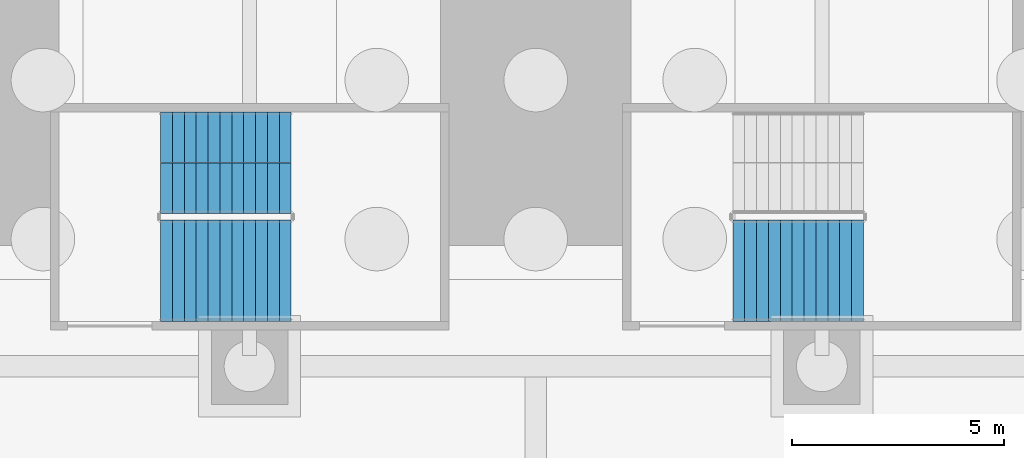
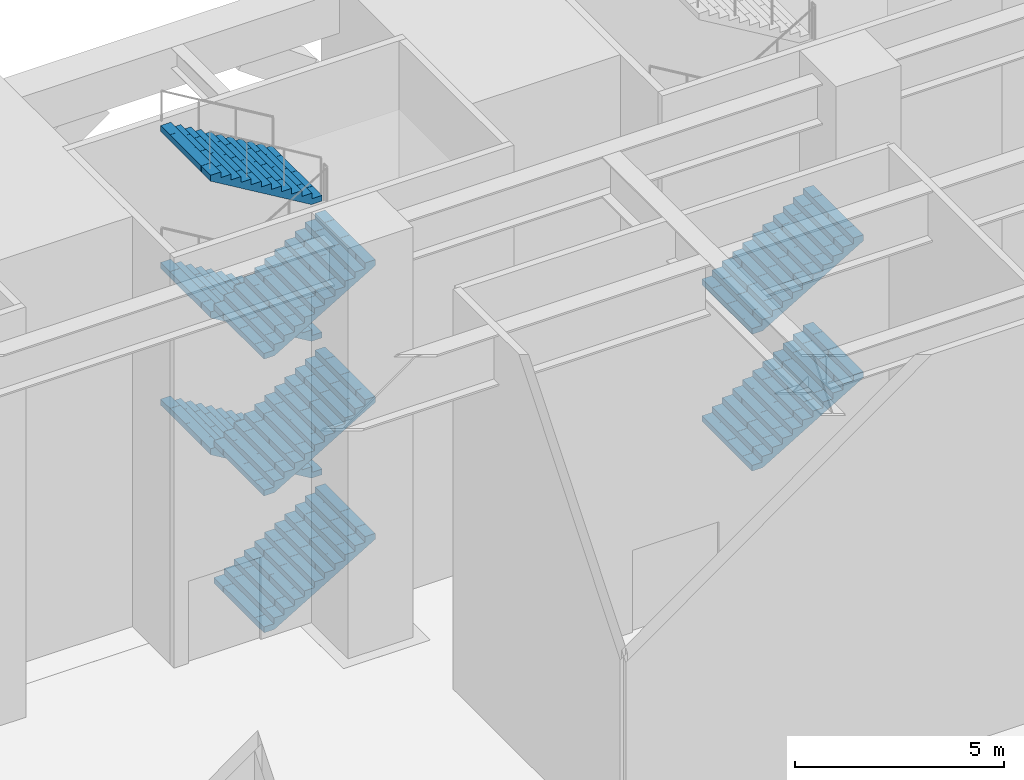
# One storey, part 22 of 34: 8 stair flights, 2 elements without a shape of their own.
"""IFC4 building model written with IfcOpenShell, lengths in metres."""

from ifc_helpers import new_model, si_unit, direction, frame, origin, place, context, subcontext, project, spatial, polyline, outline, extrude, material, type_object, element, aggregate, save


model = new_model("IFC4")

# Units and contexts
model_context = context("Model", 3, precision=1e-05, world=origin(), true_north=direction((0.0, 1.0)))
body_context = subcontext(model_context, "Body", "Model", "MODEL_VIEW")
ifc_project = project(units=[si_unit("LENGTHUNIT", "METRE"), si_unit("AREAUNIT", "SQUARE_METRE"), si_unit("VOLUMEUNIT", "CUBIC_METRE"), si_unit("PLANEANGLEUNIT", "RADIAN"), si_unit("MASSUNIT", "GRAM", prefix="KILO")], contexts=[model_context])

# Site, building, storey
site_placement = place(None, origin())
site = spatial("IfcSite", under=ifc_project, at=site_placement, CompositionType="ELEMENT")
building_placement = place(site_placement, origin())
building = spatial("IfcBuilding", under=site, at=building_placement, Name="Corbelhall Arena Tower", CompositionType="ELEMENT")
storey_placement = place(building_placement, origin())
storey = spatial("IfcBuildingStorey", under=building, at=storey_placement, Name="L00", CompositionType="ELEMENT", Elevation=0.0)

# Stair, stair flights
ifc_material = material(Name="Reinforced concrete C40/50", Category="concrete")
stair_type = type_object("IfcStairType", Name="AR-EXIT-STAIR", PredefinedType="HALF_TURN_STAIR", material=ifc_material)
stair_1_placement = place(storey_placement, origin())
stair_1 = element("IfcStair", 1, at=stair_1_placement, inside=storey, type_object=stair_type, Name="L00 exit stair AS10", PredefinedType="HALF_TURN_STAIR")
stair_flight_type = type_object("IfcStairFlightType", Name="AR-EXIT-FLIGHT", PredefinedType="STRAIGHT", material=ifc_material)
stair_flight_1_placement = place(storey_placement, frame((-8.85009765625, 31.5, 0.0), z_axis=(0.0, 0.0, 1.0), x_axis=(1.0, 0.0, 0.0)))
stair_flight_1 = element("IfcStairFlight", 2, at=stair_flight_1_placement, type_object=stair_flight_type, Name="AS10 flight 1", NumberOfRisers=12, NumberOfTreads=11, PredefinedType="STRAIGHT", RiserHeight=0.166666667, TreadLength=0.28, context=body_context, shape_type="SweptSolid", body=[
    extrude(outline(polyline([(0.0, 0.0), (0.0, 0.166748046875), (0.280029296875, 0.166748046875), (0.280029296875, 0.333251953125), (0.56005859375, 0.333251953125), (0.56005859375, 0.5), (0.840087890625, 0.5), (0.840087890625, 0.666748046875), (1.1201171875, 0.666748046875), (1.1201171875, 0.833251953125), (1.39990234375, 0.833251953125), (1.39990234375, 1.0), (1.679931640625, 1.0), (1.679931640625, 1.166748046875), (1.9599609375, 1.166748046875), (1.9599609375, 1.333251953125), (2.239990234375, 1.333251953125), (2.239990234375, 1.5), (2.52001953125, 1.5), (2.52001953125, 1.666748046875), (2.800048828125, 1.666748046875), (2.800048828125, 1.833251953125), (3.080078125, 1.833251953125), (3.080078125, 2.0), (3.080078125, 1.658935546875), (0.29296875, 0.0), (0.0, 0.0)])), frame((0.0, 1.199951171875, 0.0), z_axis=(0.0, -1.0, 0.0), x_axis=(1.0, 0.0, 0.0)), (0.0, 0.0, 1.0), 0.449951171875),
    extrude(outline(polyline([(0.0, 0.0), (0.0, 0.166748046875), (0.280029296875, 0.166748046875), (0.280029296875, 0.333251953125), (0.56005859375, 0.333251953125), (0.56005859375, 0.5), (0.840087890625, 0.5), (0.840087890625, 0.666748046875), (1.1201171875, 0.666748046875), (1.1201171875, 0.833251953125), (1.39990234375, 0.833251953125), (1.39990234375, 1.0), (1.679931640625, 1.0), (1.679931640625, 1.166748046875), (1.9599609375, 1.166748046875), (1.9599609375, 1.333251953125), (2.239990234375, 1.333251953125), (2.239990234375, 1.5), (2.52001953125, 1.5), (2.52001953125, 1.666748046875), (2.800048828125, 1.666748046875), (2.800048828125, 1.833251953125), (3.080078125, 1.833251953125), (3.080078125, 2.0), (3.080078125, 1.658935546875), (0.29296875, 0.0), (0.0, 0.0)])), frame((0.0, 0.745849609375, 0.0), z_axis=(0.0, -1.0, 0.0), x_axis=(1.0, 0.0, 0.0)), (0.0, 0.0, 1.0), 0.743896484375),
    extrude(outline(polyline([(0.0, 0.0), (0.0, 0.166748046875), (0.280029296875, 0.166748046875), (0.280029296875, 0.333251953125), (0.56005859375, 0.333251953125), (0.56005859375, 0.5), (0.840087890625, 0.5), (0.840087890625, 0.666748046875), (1.1201171875, 0.666748046875), (1.1201171875, 0.833251953125), (1.39990234375, 0.833251953125), (1.39990234375, 1.0), (1.679931640625, 1.0), (1.679931640625, 1.166748046875), (1.9599609375, 1.166748046875), (1.9599609375, 1.333251953125), (2.239990234375, 1.333251953125), (2.239990234375, 1.5), (2.52001953125, 1.5), (2.52001953125, 1.666748046875), (2.800048828125, 1.666748046875), (2.800048828125, 1.833251953125), (3.080078125, 1.833251953125), (3.080078125, 2.0), (3.080078125, 1.658935546875), (0.29296875, 0.0), (0.0, 0.0)])), frame((0.0, -0.001953125, 0.0), z_axis=(0.0, -1.0, 0.0), x_axis=(1.0, 0.0, 0.0)), (0.0, 0.0, 1.0), 0.743896484375),
    extrude(outline(polyline([(0.0, 0.0), (0.0, 0.166748046875), (0.280029296875, 0.166748046875), (0.280029296875, 0.333251953125), (0.56005859375, 0.333251953125), (0.56005859375, 0.5), (0.840087890625, 0.5), (0.840087890625, 0.666748046875), (1.1201171875, 0.666748046875), (1.1201171875, 0.833251953125), (1.39990234375, 0.833251953125), (1.39990234375, 1.0), (1.679931640625, 1.0), (1.679931640625, 1.166748046875), (1.9599609375, 1.166748046875), (1.9599609375, 1.333251953125), (2.239990234375, 1.333251953125), (2.239990234375, 1.5), (2.52001953125, 1.5), (2.52001953125, 1.666748046875), (2.800048828125, 1.666748046875), (2.800048828125, 1.833251953125), (3.080078125, 1.833251953125), (3.080078125, 2.0), (3.080078125, 1.658935546875), (0.29296875, 0.0), (0.0, 0.0)])), frame((0.0, -0.75, 0.0), z_axis=(0.0, -1.0, 0.0), x_axis=(1.0, 0.0, 0.0)), (0.0, 0.0, 1.0), 0.449951171875),
])
stair_flight_2_placement = place(storey_placement, frame((-5.77001953125, 34.050048828125, 2.0), z_axis=(0.0, 0.0, 1.0), x_axis=(-1.0, 0.0, 0.0)))
stair_flight_2 = element("IfcStairFlight", 3, at=stair_flight_2_placement, type_object=stair_flight_type, Name="AS10 flight 2", NumberOfRisers=12, NumberOfTreads=11, PredefinedType="STRAIGHT", RiserHeight=0.166666667, TreadLength=0.28, context=body_context, shape_type="SweptSolid", body=[
    extrude(outline(polyline([(0.0, 0.0), (0.0, 0.166748046875), (0.280029296875, 0.166748046875), (0.280029296875, 0.333251953125), (0.56005859375, 0.333251953125), (0.56005859375, 0.5), (0.840087890625, 0.5), (0.840087890625, 0.666748046875), (1.1201171875, 0.666748046875), (1.1201171875, 0.833251953125), (1.39990234375, 0.833251953125), (1.39990234375, 1.0), (1.679931640625, 1.0), (1.679931640625, 1.166748046875), (1.9599609375, 1.166748046875), (1.9599609375, 1.333251953125), (2.239990234375, 1.333251953125), (2.239990234375, 1.5), (2.52001953125, 1.5), (2.52001953125, 1.666748046875), (2.800048828125, 1.666748046875), (2.800048828125, 1.833251953125), (3.080078125, 1.833251953125), (3.080078125, 2.0), (3.080078125, 1.658935546875), (0.29296875, 0.0), (0.0, 0.0)])), frame((0.0, 1.199951171875, 0.0), z_axis=(0.0, -1.0, 0.0), x_axis=(1.0, 0.0, 0.0)), (0.0, 0.0, 1.0), 0.449951171875),
    extrude(outline(polyline([(0.0, 0.0), (0.0, 0.166748046875), (0.280029296875, 0.166748046875), (0.280029296875, 0.333251953125), (0.56005859375, 0.333251953125), (0.56005859375, 0.5), (0.840087890625, 0.5), (0.840087890625, 0.666748046875), (1.1201171875, 0.666748046875), (1.1201171875, 0.833251953125), (1.39990234375, 0.833251953125), (1.39990234375, 1.0), (1.679931640625, 1.0), (1.679931640625, 1.166748046875), (1.9599609375, 1.166748046875), (1.9599609375, 1.333251953125), (2.239990234375, 1.333251953125), (2.239990234375, 1.5), (2.52001953125, 1.5), (2.52001953125, 1.666748046875), (2.800048828125, 1.666748046875), (2.800048828125, 1.833251953125), (3.080078125, 1.833251953125), (3.080078125, 2.0), (3.080078125, 1.658935546875), (0.29296875, 0.0), (0.0, 0.0)])), frame((0.0, 0.745849609375, 0.0), z_axis=(0.0, -1.0, 0.0), x_axis=(1.0, 0.0, 0.0)), (0.0, 0.0, 1.0), 0.743896484375),
    extrude(outline(polyline([(0.0, 0.0), (0.0, 0.166748046875), (0.280029296875, 0.166748046875), (0.280029296875, 0.333251953125), (0.56005859375, 0.333251953125), (0.56005859375, 0.5), (0.840087890625, 0.5), (0.840087890625, 0.666748046875), (1.1201171875, 0.666748046875), (1.1201171875, 0.833251953125), (1.39990234375, 0.833251953125), (1.39990234375, 1.0), (1.679931640625, 1.0), (1.679931640625, 1.166748046875), (1.9599609375, 1.166748046875), (1.9599609375, 1.333251953125), (2.239990234375, 1.333251953125), (2.239990234375, 1.5), (2.52001953125, 1.5), (2.52001953125, 1.666748046875), (2.800048828125, 1.666748046875), (2.800048828125, 1.833251953125), (3.080078125, 1.833251953125), (3.080078125, 2.0), (3.080078125, 1.658935546875), (0.29296875, 0.0), (0.0, 0.0)])), frame((0.0, -0.001953125, 0.0), z_axis=(0.0, -1.0, 0.0), x_axis=(1.0, 0.0, 0.0)), (0.0, 0.0, 1.0), 0.743896484375),
    extrude(outline(polyline([(0.0, 0.0), (0.0, 0.166748046875), (0.280029296875, 0.166748046875), (0.280029296875, 0.333251953125), (0.56005859375, 0.333251953125), (0.56005859375, 0.5), (0.840087890625, 0.5), (0.840087890625, 0.666748046875), (1.1201171875, 0.666748046875), (1.1201171875, 0.833251953125), (1.39990234375, 0.833251953125), (1.39990234375, 1.0), (1.679931640625, 1.0), (1.679931640625, 1.166748046875), (1.9599609375, 1.166748046875), (1.9599609375, 1.333251953125), (2.239990234375, 1.333251953125), (2.239990234375, 1.5), (2.52001953125, 1.5), (2.52001953125, 1.666748046875), (2.800048828125, 1.666748046875), (2.800048828125, 1.833251953125), (3.080078125, 1.833251953125), (3.080078125, 2.0), (3.080078125, 1.658935546875), (0.29296875, 0.0), (0.0, 0.0)])), frame((0.0, -0.75, 0.0), z_axis=(0.0, -1.0, 0.0), x_axis=(1.0, 0.0, 0.0)), (0.0, 0.0, 1.0), 0.449951171875),
])
stair_flight_3_placement = place(storey_placement, frame((-8.85009765625, 31.5, 4.0), z_axis=(0.0, 0.0, 1.0), x_axis=(1.0, 0.0, 0.0)))
stair_flight_3 = element("IfcStairFlight", 4, at=stair_flight_3_placement, type_object=stair_flight_type, Name="AS10 flight 3", NumberOfRisers=12, NumberOfTreads=11, PredefinedType="STRAIGHT", RiserHeight=0.166666667, TreadLength=0.28, context=body_context, shape_type="SweptSolid", body=[
    extrude(outline(polyline([(0.0, 0.0), (0.0, 0.166748046875), (0.280029296875, 0.166748046875), (0.280029296875, 0.333251953125), (0.56005859375, 0.333251953125), (0.56005859375, 0.5), (0.840087890625, 0.5), (0.840087890625, 0.666748046875), (1.1201171875, 0.666748046875), (1.1201171875, 0.833251953125), (1.39990234375, 0.833251953125), (1.39990234375, 1.0), (1.679931640625, 1.0), (1.679931640625, 1.166748046875), (1.9599609375, 1.166748046875), (1.9599609375, 1.333251953125), (2.239990234375, 1.333251953125), (2.239990234375, 1.5), (2.52001953125, 1.5), (2.52001953125, 1.666748046875), (2.800048828125, 1.666748046875), (2.800048828125, 1.833251953125), (3.080078125, 1.833251953125), (3.080078125, 2.0), (3.080078125, 1.658935546875), (0.29296875, 0.0), (0.0, 0.0)])), frame((0.0, 1.199951171875, 0.0), z_axis=(0.0, -1.0, 0.0), x_axis=(1.0, 0.0, 0.0)), (0.0, 0.0, 1.0), 0.449951171875),
    extrude(outline(polyline([(0.0, 0.0), (0.0, 0.166748046875), (0.280029296875, 0.166748046875), (0.280029296875, 0.333251953125), (0.56005859375, 0.333251953125), (0.56005859375, 0.5), (0.840087890625, 0.5), (0.840087890625, 0.666748046875), (1.1201171875, 0.666748046875), (1.1201171875, 0.833251953125), (1.39990234375, 0.833251953125), (1.39990234375, 1.0), (1.679931640625, 1.0), (1.679931640625, 1.166748046875), (1.9599609375, 1.166748046875), (1.9599609375, 1.333251953125), (2.239990234375, 1.333251953125), (2.239990234375, 1.5), (2.52001953125, 1.5), (2.52001953125, 1.666748046875), (2.800048828125, 1.666748046875), (2.800048828125, 1.833251953125), (3.080078125, 1.833251953125), (3.080078125, 2.0), (3.080078125, 1.658935546875), (0.29296875, 0.0), (0.0, 0.0)])), frame((0.0, 0.745849609375, 0.0), z_axis=(0.0, -1.0, 0.0), x_axis=(1.0, 0.0, 0.0)), (0.0, 0.0, 1.0), 0.743896484375),
    extrude(outline(polyline([(0.0, 0.0), (0.0, 0.166748046875), (0.280029296875, 0.166748046875), (0.280029296875, 0.333251953125), (0.56005859375, 0.333251953125), (0.56005859375, 0.5), (0.840087890625, 0.5), (0.840087890625, 0.666748046875), (1.1201171875, 0.666748046875), (1.1201171875, 0.833251953125), (1.39990234375, 0.833251953125), (1.39990234375, 1.0), (1.679931640625, 1.0), (1.679931640625, 1.166748046875), (1.9599609375, 1.166748046875), (1.9599609375, 1.333251953125), (2.239990234375, 1.333251953125), (2.239990234375, 1.5), (2.52001953125, 1.5), (2.52001953125, 1.666748046875), (2.800048828125, 1.666748046875), (2.800048828125, 1.833251953125), (3.080078125, 1.833251953125), (3.080078125, 2.0), (3.080078125, 1.658935546875), (0.29296875, 0.0), (0.0, 0.0)])), frame((0.0, -0.001953125, 0.0), z_axis=(0.0, -1.0, 0.0), x_axis=(1.0, 0.0, 0.0)), (0.0, 0.0, 1.0), 0.743896484375),
    extrude(outline(polyline([(0.0, 0.0), (0.0, 0.166748046875), (0.280029296875, 0.166748046875), (0.280029296875, 0.333251953125), (0.56005859375, 0.333251953125), (0.56005859375, 0.5), (0.840087890625, 0.5), (0.840087890625, 0.666748046875), (1.1201171875, 0.666748046875), (1.1201171875, 0.833251953125), (1.39990234375, 0.833251953125), (1.39990234375, 1.0), (1.679931640625, 1.0), (1.679931640625, 1.166748046875), (1.9599609375, 1.166748046875), (1.9599609375, 1.333251953125), (2.239990234375, 1.333251953125), (2.239990234375, 1.5), (2.52001953125, 1.5), (2.52001953125, 1.666748046875), (2.800048828125, 1.666748046875), (2.800048828125, 1.833251953125), (3.080078125, 1.833251953125), (3.080078125, 2.0), (3.080078125, 1.658935546875), (0.29296875, 0.0), (0.0, 0.0)])), frame((0.0, -0.75, 0.0), z_axis=(0.0, -1.0, 0.0), x_axis=(1.0, 0.0, 0.0)), (0.0, 0.0, 1.0), 0.449951171875),
])
stair_flight_4_placement = place(storey_placement, frame((-5.77001953125, 34.050048828125, 6.0), z_axis=(0.0, 0.0, 1.0), x_axis=(-1.0, 0.0, 0.0)))
stair_flight_4 = element("IfcStairFlight", 5, at=stair_flight_4_placement, type_object=stair_flight_type, Name="AS10 flight 4", NumberOfRisers=12, NumberOfTreads=11, PredefinedType="STRAIGHT", RiserHeight=0.166666667, TreadLength=0.28, context=body_context, shape_type="SweptSolid", body=[
    extrude(outline(polyline([(0.0, 0.0), (0.0, 0.166748046875), (0.280029296875, 0.166748046875), (0.280029296875, 0.333251953125), (0.56005859375, 0.333251953125), (0.56005859375, 0.5), (0.840087890625, 0.5), (0.840087890625, 0.666748046875), (1.1201171875, 0.666748046875), (1.1201171875, 0.833251953125), (1.39990234375, 0.833251953125), (1.39990234375, 1.0), (1.679931640625, 1.0), (1.679931640625, 1.166748046875), (1.9599609375, 1.166748046875), (1.9599609375, 1.333251953125), (2.239990234375, 1.333251953125), (2.239990234375, 1.5), (2.52001953125, 1.5), (2.52001953125, 1.666748046875), (2.800048828125, 1.666748046875), (2.800048828125, 1.833251953125), (3.080078125, 1.833251953125), (3.080078125, 2.0), (3.080078125, 1.658935546875), (0.29296875, 0.0), (0.0, 0.0)])), frame((0.0, 1.199951171875, 0.0), z_axis=(0.0, -1.0, 0.0), x_axis=(1.0, 0.0, 0.0)), (0.0, 0.0, 1.0), 0.449951171875),
    extrude(outline(polyline([(0.0, 0.0), (0.0, 0.166748046875), (0.280029296875, 0.166748046875), (0.280029296875, 0.333251953125), (0.56005859375, 0.333251953125), (0.56005859375, 0.5), (0.840087890625, 0.5), (0.840087890625, 0.666748046875), (1.1201171875, 0.666748046875), (1.1201171875, 0.833251953125), (1.39990234375, 0.833251953125), (1.39990234375, 1.0), (1.679931640625, 1.0), (1.679931640625, 1.166748046875), (1.9599609375, 1.166748046875), (1.9599609375, 1.333251953125), (2.239990234375, 1.333251953125), (2.239990234375, 1.5), (2.52001953125, 1.5), (2.52001953125, 1.666748046875), (2.800048828125, 1.666748046875), (2.800048828125, 1.833251953125), (3.080078125, 1.833251953125), (3.080078125, 2.0), (3.080078125, 1.658935546875), (0.29296875, 0.0), (0.0, 0.0)])), frame((0.0, 0.745849609375, 0.0), z_axis=(0.0, -1.0, 0.0), x_axis=(1.0, 0.0, 0.0)), (0.0, 0.0, 1.0), 0.743896484375),
    extrude(outline(polyline([(0.0, 0.0), (0.0, 0.166748046875), (0.280029296875, 0.166748046875), (0.280029296875, 0.333251953125), (0.56005859375, 0.333251953125), (0.56005859375, 0.5), (0.840087890625, 0.5), (0.840087890625, 0.666748046875), (1.1201171875, 0.666748046875), (1.1201171875, 0.833251953125), (1.39990234375, 0.833251953125), (1.39990234375, 1.0), (1.679931640625, 1.0), (1.679931640625, 1.166748046875), (1.9599609375, 1.166748046875), (1.9599609375, 1.333251953125), (2.239990234375, 1.333251953125), (2.239990234375, 1.5), (2.52001953125, 1.5), (2.52001953125, 1.666748046875), (2.800048828125, 1.666748046875), (2.800048828125, 1.833251953125), (3.080078125, 1.833251953125), (3.080078125, 2.0), (3.080078125, 1.658935546875), (0.29296875, 0.0), (0.0, 0.0)])), frame((0.0, -0.001953125, 0.0), z_axis=(0.0, -1.0, 0.0), x_axis=(1.0, 0.0, 0.0)), (0.0, 0.0, 1.0), 0.743896484375),
    extrude(outline(polyline([(0.0, 0.0), (0.0, 0.166748046875), (0.280029296875, 0.166748046875), (0.280029296875, 0.333251953125), (0.56005859375, 0.333251953125), (0.56005859375, 0.5), (0.840087890625, 0.5), (0.840087890625, 0.666748046875), (1.1201171875, 0.666748046875), (1.1201171875, 0.833251953125), (1.39990234375, 0.833251953125), (1.39990234375, 1.0), (1.679931640625, 1.0), (1.679931640625, 1.166748046875), (1.9599609375, 1.166748046875), (1.9599609375, 1.333251953125), (2.239990234375, 1.333251953125), (2.239990234375, 1.5), (2.52001953125, 1.5), (2.52001953125, 1.666748046875), (2.800048828125, 1.666748046875), (2.800048828125, 1.833251953125), (3.080078125, 1.833251953125), (3.080078125, 2.0), (3.080078125, 1.658935546875), (0.29296875, 0.0), (0.0, 0.0)])), frame((0.0, -0.75, 0.0), z_axis=(0.0, -1.0, 0.0), x_axis=(1.0, 0.0, 0.0)), (0.0, 0.0, 1.0), 0.449951171875),
])
stair_flight_5_placement = place(storey_placement, frame((-8.85009765625, 31.5, 8.0), z_axis=(0.0, 0.0, 1.0), x_axis=(1.0, 0.0, 0.0)))
stair_flight_5 = element("IfcStairFlight", 6, at=stair_flight_5_placement, type_object=stair_flight_type, Name="AS10 flight 5", NumberOfRisers=12, NumberOfTreads=11, PredefinedType="STRAIGHT", RiserHeight=0.166666667, TreadLength=0.28, context=body_context, shape_type="SweptSolid", body=[
    extrude(outline(polyline([(0.0, 0.0), (0.0, 0.166748046875), (0.280029296875, 0.166748046875), (0.280029296875, 0.333251953125), (0.56005859375, 0.333251953125), (0.56005859375, 0.5), (0.840087890625, 0.5), (0.840087890625, 0.666748046875), (1.1201171875, 0.666748046875), (1.1201171875, 0.833251953125), (1.39990234375, 0.833251953125), (1.39990234375, 1.0), (1.679931640625, 1.0), (1.679931640625, 1.166748046875), (1.9599609375, 1.166748046875), (1.9599609375, 1.333251953125), (2.239990234375, 1.333251953125), (2.239990234375, 1.5), (2.52001953125, 1.5), (2.52001953125, 1.666748046875), (2.800048828125, 1.666748046875), (2.800048828125, 1.833251953125), (3.080078125, 1.833251953125), (3.080078125, 2.0), (3.080078125, 1.658935546875), (0.29296875, 0.0), (0.0, 0.0)])), frame((0.0, 1.199951171875, 0.0), z_axis=(0.0, -1.0, 0.0), x_axis=(1.0, 0.0, 0.0)), (0.0, 0.0, 1.0), 0.449951171875),
    extrude(outline(polyline([(0.0, 0.0), (0.0, 0.166748046875), (0.280029296875, 0.166748046875), (0.280029296875, 0.333251953125), (0.56005859375, 0.333251953125), (0.56005859375, 0.5), (0.840087890625, 0.5), (0.840087890625, 0.666748046875), (1.1201171875, 0.666748046875), (1.1201171875, 0.833251953125), (1.39990234375, 0.833251953125), (1.39990234375, 1.0), (1.679931640625, 1.0), (1.679931640625, 1.166748046875), (1.9599609375, 1.166748046875), (1.9599609375, 1.333251953125), (2.239990234375, 1.333251953125), (2.239990234375, 1.5), (2.52001953125, 1.5), (2.52001953125, 1.666748046875), (2.800048828125, 1.666748046875), (2.800048828125, 1.833251953125), (3.080078125, 1.833251953125), (3.080078125, 2.0), (3.080078125, 1.658935546875), (0.29296875, 0.0), (0.0, 0.0)])), frame((0.0, 0.745849609375, 0.0), z_axis=(0.0, -1.0, 0.0), x_axis=(1.0, 0.0, 0.0)), (0.0, 0.0, 1.0), 0.743896484375),
    extrude(outline(polyline([(0.0, 0.0), (0.0, 0.166748046875), (0.280029296875, 0.166748046875), (0.280029296875, 0.333251953125), (0.56005859375, 0.333251953125), (0.56005859375, 0.5), (0.840087890625, 0.5), (0.840087890625, 0.666748046875), (1.1201171875, 0.666748046875), (1.1201171875, 0.833251953125), (1.39990234375, 0.833251953125), (1.39990234375, 1.0), (1.679931640625, 1.0), (1.679931640625, 1.166748046875), (1.9599609375, 1.166748046875), (1.9599609375, 1.333251953125), (2.239990234375, 1.333251953125), (2.239990234375, 1.5), (2.52001953125, 1.5), (2.52001953125, 1.666748046875), (2.800048828125, 1.666748046875), (2.800048828125, 1.833251953125), (3.080078125, 1.833251953125), (3.080078125, 2.0), (3.080078125, 1.658935546875), (0.29296875, 0.0), (0.0, 0.0)])), frame((0.0, -0.001953125, 0.0), z_axis=(0.0, -1.0, 0.0), x_axis=(1.0, 0.0, 0.0)), (0.0, 0.0, 1.0), 0.743896484375),
    extrude(outline(polyline([(0.0, 0.0), (0.0, 0.166748046875), (0.280029296875, 0.166748046875), (0.280029296875, 0.333251953125), (0.56005859375, 0.333251953125), (0.56005859375, 0.5), (0.840087890625, 0.5), (0.840087890625, 0.666748046875), (1.1201171875, 0.666748046875), (1.1201171875, 0.833251953125), (1.39990234375, 0.833251953125), (1.39990234375, 1.0), (1.679931640625, 1.0), (1.679931640625, 1.166748046875), (1.9599609375, 1.166748046875), (1.9599609375, 1.333251953125), (2.239990234375, 1.333251953125), (2.239990234375, 1.5), (2.52001953125, 1.5), (2.52001953125, 1.666748046875), (2.800048828125, 1.666748046875), (2.800048828125, 1.833251953125), (3.080078125, 1.833251953125), (3.080078125, 2.0), (3.080078125, 1.658935546875), (0.29296875, 0.0), (0.0, 0.0)])), frame((0.0, -0.75, 0.0), z_axis=(0.0, -1.0, 0.0), x_axis=(1.0, 0.0, 0.0)), (0.0, 0.0, 1.0), 0.449951171875),
])
stair_flight_6_placement = place(storey_placement, frame((-5.77001953125, 34.050048828125, 10.0), z_axis=(0.0, 0.0, 1.0), x_axis=(-1.0, 0.0, 0.0)))
stair_flight_6 = element("IfcStairFlight", 7, at=stair_flight_6_placement, type_object=stair_flight_type, Name="AS10 flight 6", NumberOfRisers=12, NumberOfTreads=11, PredefinedType="STRAIGHT", RiserHeight=0.166666667, TreadLength=0.28, context=body_context, shape_type="SweptSolid", body=[
    extrude(outline(polyline([(0.0, 0.0), (0.0, 0.166748046875), (0.280029296875, 0.166748046875), (0.280029296875, 0.333251953125), (0.56005859375, 0.333251953125), (0.56005859375, 0.5), (0.840087890625, 0.5), (0.840087890625, 0.666748046875), (1.1201171875, 0.666748046875), (1.1201171875, 0.833251953125), (1.39990234375, 0.833251953125), (1.39990234375, 1.0), (1.679931640625, 1.0), (1.679931640625, 1.166748046875), (1.9599609375, 1.166748046875), (1.9599609375, 1.333251953125), (2.239990234375, 1.333251953125), (2.239990234375, 1.5), (2.52001953125, 1.5), (2.52001953125, 1.666748046875), (2.800048828125, 1.666748046875), (2.800048828125, 1.833251953125), (3.080078125, 1.833251953125), (3.080078125, 2.0), (3.080078125, 1.658935546875), (0.29296875, 0.0), (0.0, 0.0)])), frame((0.0, 1.199951171875, 0.0), z_axis=(0.0, -1.0, 0.0), x_axis=(1.0, 0.0, 0.0)), (0.0, 0.0, 1.0), 0.449951171875),
    extrude(outline(polyline([(0.0, 0.0), (0.0, 0.166748046875), (0.280029296875, 0.166748046875), (0.280029296875, 0.333251953125), (0.56005859375, 0.333251953125), (0.56005859375, 0.5), (0.840087890625, 0.5), (0.840087890625, 0.666748046875), (1.1201171875, 0.666748046875), (1.1201171875, 0.833251953125), (1.39990234375, 0.833251953125), (1.39990234375, 1.0), (1.679931640625, 1.0), (1.679931640625, 1.166748046875), (1.9599609375, 1.166748046875), (1.9599609375, 1.333251953125), (2.239990234375, 1.333251953125), (2.239990234375, 1.5), (2.52001953125, 1.5), (2.52001953125, 1.666748046875), (2.800048828125, 1.666748046875), (2.800048828125, 1.833251953125), (3.080078125, 1.833251953125), (3.080078125, 2.0), (3.080078125, 1.658935546875), (0.29296875, 0.0), (0.0, 0.0)])), frame((0.0, 0.745849609375, 0.0), z_axis=(0.0, -1.0, 0.0), x_axis=(1.0, 0.0, 0.0)), (0.0, 0.0, 1.0), 0.743896484375),
    extrude(outline(polyline([(0.0, 0.0), (0.0, 0.166748046875), (0.280029296875, 0.166748046875), (0.280029296875, 0.333251953125), (0.56005859375, 0.333251953125), (0.56005859375, 0.5), (0.840087890625, 0.5), (0.840087890625, 0.666748046875), (1.1201171875, 0.666748046875), (1.1201171875, 0.833251953125), (1.39990234375, 0.833251953125), (1.39990234375, 1.0), (1.679931640625, 1.0), (1.679931640625, 1.166748046875), (1.9599609375, 1.166748046875), (1.9599609375, 1.333251953125), (2.239990234375, 1.333251953125), (2.239990234375, 1.5), (2.52001953125, 1.5), (2.52001953125, 1.666748046875), (2.800048828125, 1.666748046875), (2.800048828125, 1.833251953125), (3.080078125, 1.833251953125), (3.080078125, 2.0), (3.080078125, 1.658935546875), (0.29296875, 0.0), (0.0, 0.0)])), frame((0.0, -0.001953125, 0.0), z_axis=(0.0, -1.0, 0.0), x_axis=(1.0, 0.0, 0.0)), (0.0, 0.0, 1.0), 0.743896484375),
    extrude(outline(polyline([(0.0, 0.0), (0.0, 0.166748046875), (0.280029296875, 0.166748046875), (0.280029296875, 0.333251953125), (0.56005859375, 0.333251953125), (0.56005859375, 0.5), (0.840087890625, 0.5), (0.840087890625, 0.666748046875), (1.1201171875, 0.666748046875), (1.1201171875, 0.833251953125), (1.39990234375, 0.833251953125), (1.39990234375, 1.0), (1.679931640625, 1.0), (1.679931640625, 1.166748046875), (1.9599609375, 1.166748046875), (1.9599609375, 1.333251953125), (2.239990234375, 1.333251953125), (2.239990234375, 1.5), (2.52001953125, 1.5), (2.52001953125, 1.666748046875), (2.800048828125, 1.666748046875), (2.800048828125, 1.833251953125), (3.080078125, 1.833251953125), (3.080078125, 2.0), (3.080078125, 1.658935546875), (0.29296875, 0.0), (0.0, 0.0)])), frame((0.0, -0.75, 0.0), z_axis=(0.0, -1.0, 0.0), x_axis=(1.0, 0.0, 0.0)), (0.0, 0.0, 1.0), 0.449951171875),
])
aggregate(stair_1, [stair_flight_1, stair_flight_2, stair_flight_3, stair_flight_4, stair_flight_5, stair_flight_6])

stair_2_placement = place(storey_placement, origin())
stair_2 = element("IfcStair", 8, at=stair_2_placement, inside=storey, type_object=stair_type, Name="L00 exit stair AS11", PredefinedType="HALF_TURN_STAIR")
stair_flight_7_placement = place(storey_placement, frame((4.64990234375, 31.5, 0.0), z_axis=(0.0, 0.0, 1.0), x_axis=(1.0, 0.0, 0.0)))
stair_flight_7 = element("IfcStairFlight", 9, at=stair_flight_7_placement, type_object=stair_flight_type, Name="AS11 flight 1", NumberOfRisers=12, NumberOfTreads=11, PredefinedType="STRAIGHT", RiserHeight=0.166666667, TreadLength=0.28, context=body_context, shape_type="SweptSolid", body=[
    extrude(outline(polyline([(0.0, 0.0), (0.0, 0.166748046875), (0.280029296875, 0.166748046875), (0.280029296875, 0.333251953125), (0.56005859375, 0.333251953125), (0.56005859375, 0.5), (0.840087890625, 0.5), (0.840087890625, 0.666748046875), (1.1201171875, 0.666748046875), (1.1201171875, 0.833251953125), (1.39990234375, 0.833251953125), (1.39990234375, 1.0), (1.679931640625, 1.0), (1.679931640625, 1.166748046875), (1.9599609375, 1.166748046875), (1.9599609375, 1.333251953125), (2.239990234375, 1.333251953125), (2.239990234375, 1.5), (2.52001953125, 1.5), (2.52001953125, 1.666748046875), (2.800048828125, 1.666748046875), (2.800048828125, 1.833251953125), (3.080078125, 1.833251953125), (3.080078125, 2.0), (3.080078125, 1.658935546875), (0.29296875, 0.0), (0.0, 0.0)])), frame((0.0, 1.199951171875, 0.0), z_axis=(0.0, -1.0, 0.0), x_axis=(1.0, 0.0, 0.0)), (0.0, 0.0, 1.0), 0.449951171875),
    extrude(outline(polyline([(0.0, 0.0), (0.0, 0.166748046875), (0.280029296875, 0.166748046875), (0.280029296875, 0.333251953125), (0.56005859375, 0.333251953125), (0.56005859375, 0.5), (0.840087890625, 0.5), (0.840087890625, 0.666748046875), (1.1201171875, 0.666748046875), (1.1201171875, 0.833251953125), (1.39990234375, 0.833251953125), (1.39990234375, 1.0), (1.679931640625, 1.0), (1.679931640625, 1.166748046875), (1.9599609375, 1.166748046875), (1.9599609375, 1.333251953125), (2.239990234375, 1.333251953125), (2.239990234375, 1.5), (2.52001953125, 1.5), (2.52001953125, 1.666748046875), (2.800048828125, 1.666748046875), (2.800048828125, 1.833251953125), (3.080078125, 1.833251953125), (3.080078125, 2.0), (3.080078125, 1.658935546875), (0.29296875, 0.0), (0.0, 0.0)])), frame((0.0, 0.745849609375, 0.0), z_axis=(0.0, -1.0, 0.0), x_axis=(1.0, 0.0, 0.0)), (0.0, 0.0, 1.0), 0.743896484375),
    extrude(outline(polyline([(0.0, 0.0), (0.0, 0.166748046875), (0.280029296875, 0.166748046875), (0.280029296875, 0.333251953125), (0.56005859375, 0.333251953125), (0.56005859375, 0.5), (0.840087890625, 0.5), (0.840087890625, 0.666748046875), (1.1201171875, 0.666748046875), (1.1201171875, 0.833251953125), (1.39990234375, 0.833251953125), (1.39990234375, 1.0), (1.679931640625, 1.0), (1.679931640625, 1.166748046875), (1.9599609375, 1.166748046875), (1.9599609375, 1.333251953125), (2.239990234375, 1.333251953125), (2.239990234375, 1.5), (2.52001953125, 1.5), (2.52001953125, 1.666748046875), (2.800048828125, 1.666748046875), (2.800048828125, 1.833251953125), (3.080078125, 1.833251953125), (3.080078125, 2.0), (3.080078125, 1.658935546875), (0.29296875, 0.0), (0.0, 0.0)])), frame((0.0, -0.001953125, 0.0), z_axis=(0.0, -1.0, 0.0), x_axis=(1.0, 0.0, 0.0)), (0.0, 0.0, 1.0), 0.743896484375),
    extrude(outline(polyline([(0.0, 0.0), (0.0, 0.166748046875), (0.280029296875, 0.166748046875), (0.280029296875, 0.333251953125), (0.56005859375, 0.333251953125), (0.56005859375, 0.5), (0.840087890625, 0.5), (0.840087890625, 0.666748046875), (1.1201171875, 0.666748046875), (1.1201171875, 0.833251953125), (1.39990234375, 0.833251953125), (1.39990234375, 1.0), (1.679931640625, 1.0), (1.679931640625, 1.166748046875), (1.9599609375, 1.166748046875), (1.9599609375, 1.333251953125), (2.239990234375, 1.333251953125), (2.239990234375, 1.5), (2.52001953125, 1.5), (2.52001953125, 1.666748046875), (2.800048828125, 1.666748046875), (2.800048828125, 1.833251953125), (3.080078125, 1.833251953125), (3.080078125, 2.0), (3.080078125, 1.658935546875), (0.29296875, 0.0), (0.0, 0.0)])), frame((0.0, -0.75, 0.0), z_axis=(0.0, -1.0, 0.0), x_axis=(1.0, 0.0, 0.0)), (0.0, 0.0, 1.0), 0.449951171875),
])
stair_flight_8_placement = place(storey_placement, frame((4.64990234375, 31.5, 4.0), z_axis=(0.0, 0.0, 1.0), x_axis=(1.0, 0.0, 0.0)))
stair_flight_8 = element("IfcStairFlight", 10, at=stair_flight_8_placement, type_object=stair_flight_type, Name="AS11 flight 3", NumberOfRisers=12, NumberOfTreads=11, PredefinedType="STRAIGHT", RiserHeight=0.166666667, TreadLength=0.28, context=body_context, shape_type="SweptSolid", body=[
    extrude(outline(polyline([(0.0, 0.0), (0.0, 0.166748046875), (0.280029296875, 0.166748046875), (0.280029296875, 0.333251953125), (0.56005859375, 0.333251953125), (0.56005859375, 0.5), (0.840087890625, 0.5), (0.840087890625, 0.666748046875), (1.1201171875, 0.666748046875), (1.1201171875, 0.833251953125), (1.39990234375, 0.833251953125), (1.39990234375, 1.0), (1.679931640625, 1.0), (1.679931640625, 1.166748046875), (1.9599609375, 1.166748046875), (1.9599609375, 1.333251953125), (2.239990234375, 1.333251953125), (2.239990234375, 1.5), (2.52001953125, 1.5), (2.52001953125, 1.666748046875), (2.800048828125, 1.666748046875), (2.800048828125, 1.833251953125), (3.080078125, 1.833251953125), (3.080078125, 2.0), (3.080078125, 1.658935546875), (0.29296875, 0.0), (0.0, 0.0)])), frame((0.0, 1.199951171875, 0.0), z_axis=(0.0, -1.0, 0.0), x_axis=(1.0, 0.0, 0.0)), (0.0, 0.0, 1.0), 0.449951171875),
    extrude(outline(polyline([(0.0, 0.0), (0.0, 0.166748046875), (0.280029296875, 0.166748046875), (0.280029296875, 0.333251953125), (0.56005859375, 0.333251953125), (0.56005859375, 0.5), (0.840087890625, 0.5), (0.840087890625, 0.666748046875), (1.1201171875, 0.666748046875), (1.1201171875, 0.833251953125), (1.39990234375, 0.833251953125), (1.39990234375, 1.0), (1.679931640625, 1.0), (1.679931640625, 1.166748046875), (1.9599609375, 1.166748046875), (1.9599609375, 1.333251953125), (2.239990234375, 1.333251953125), (2.239990234375, 1.5), (2.52001953125, 1.5), (2.52001953125, 1.666748046875), (2.800048828125, 1.666748046875), (2.800048828125, 1.833251953125), (3.080078125, 1.833251953125), (3.080078125, 2.0), (3.080078125, 1.658935546875), (0.29296875, 0.0), (0.0, 0.0)])), frame((0.0, 0.745849609375, 0.0), z_axis=(0.0, -1.0, 0.0), x_axis=(1.0, 0.0, 0.0)), (0.0, 0.0, 1.0), 0.743896484375),
    extrude(outline(polyline([(0.0, 0.0), (0.0, 0.166748046875), (0.280029296875, 0.166748046875), (0.280029296875, 0.333251953125), (0.56005859375, 0.333251953125), (0.56005859375, 0.5), (0.840087890625, 0.5), (0.840087890625, 0.666748046875), (1.1201171875, 0.666748046875), (1.1201171875, 0.833251953125), (1.39990234375, 0.833251953125), (1.39990234375, 1.0), (1.679931640625, 1.0), (1.679931640625, 1.166748046875), (1.9599609375, 1.166748046875), (1.9599609375, 1.333251953125), (2.239990234375, 1.333251953125), (2.239990234375, 1.5), (2.52001953125, 1.5), (2.52001953125, 1.666748046875), (2.800048828125, 1.666748046875), (2.800048828125, 1.833251953125), (3.080078125, 1.833251953125), (3.080078125, 2.0), (3.080078125, 1.658935546875), (0.29296875, 0.0), (0.0, 0.0)])), frame((0.0, -0.001953125, 0.0), z_axis=(0.0, -1.0, 0.0), x_axis=(1.0, 0.0, 0.0)), (0.0, 0.0, 1.0), 0.743896484375),
    extrude(outline(polyline([(0.0, 0.0), (0.0, 0.166748046875), (0.280029296875, 0.166748046875), (0.280029296875, 0.333251953125), (0.56005859375, 0.333251953125), (0.56005859375, 0.5), (0.840087890625, 0.5), (0.840087890625, 0.666748046875), (1.1201171875, 0.666748046875), (1.1201171875, 0.833251953125), (1.39990234375, 0.833251953125), (1.39990234375, 1.0), (1.679931640625, 1.0), (1.679931640625, 1.166748046875), (1.9599609375, 1.166748046875), (1.9599609375, 1.333251953125), (2.239990234375, 1.333251953125), (2.239990234375, 1.5), (2.52001953125, 1.5), (2.52001953125, 1.666748046875), (2.800048828125, 1.666748046875), (2.800048828125, 1.833251953125), (3.080078125, 1.833251953125), (3.080078125, 2.0), (3.080078125, 1.658935546875), (0.29296875, 0.0), (0.0, 0.0)])), frame((0.0, -0.75, 0.0), z_axis=(0.0, -1.0, 0.0), x_axis=(1.0, 0.0, 0.0)), (0.0, 0.0, 1.0), 0.449951171875),
])
aggregate(stair_2, [stair_flight_7, stair_flight_8])

save(model, "model.ifc")
